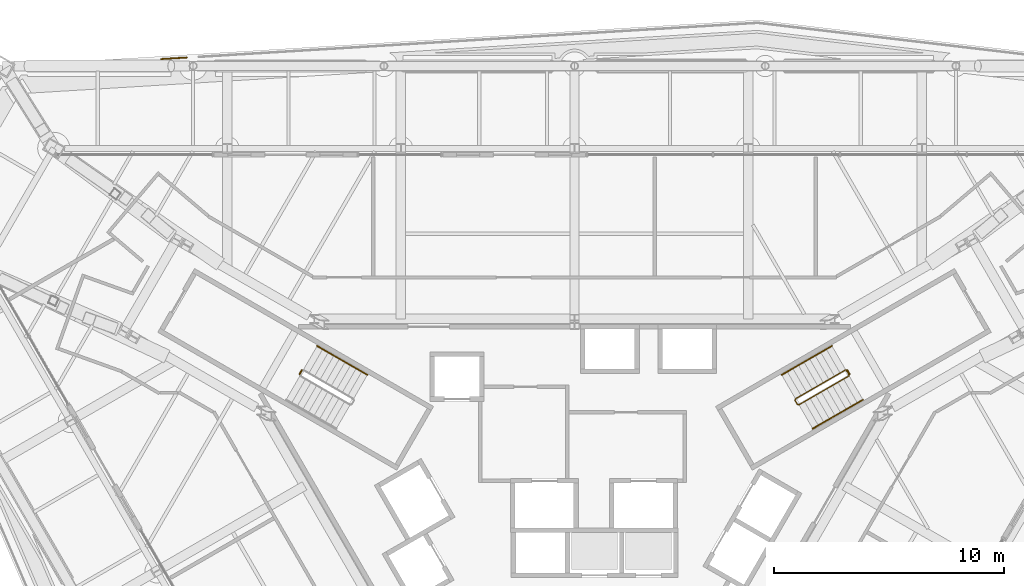
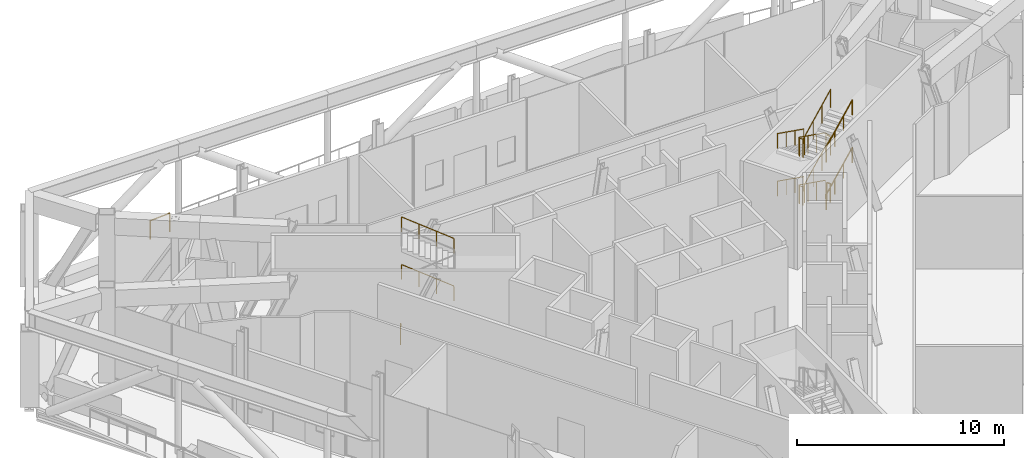
# One storey, part 23 of 25: 10 railings.
"""IFC4 building model written with IfcOpenShell, lengths in metres."""

from ifc_helpers import new_model, si_unit, direction, frame, origin, origin_2d, place, context, subcontext, project, spatial, circle, extrude, material, type_object, element, save


model = new_model("IFC4")

# Units and contexts
model_context = context("Model", 3, precision=1e-05, world=origin(), true_north=direction((0.0, 1.0)))
body_context = subcontext(model_context, "Body", "Model", "MODEL_VIEW")
ifc_project = project(units=[si_unit("LENGTHUNIT", "METRE"), si_unit("AREAUNIT", "SQUARE_METRE"), si_unit("VOLUMEUNIT", "CUBIC_METRE"), si_unit("PLANEANGLEUNIT", "RADIAN"), si_unit("MASSUNIT", "GRAM", prefix="KILO")], contexts=[model_context])

# Site, building, storey
site_placement = place(None, origin())
site = spatial("IfcSite", under=ifc_project, at=site_placement, CompositionType="ELEMENT")
building_placement = place(site_placement, origin())
building = spatial("IfcBuilding", under=site, at=building_placement, Name="Verrane Prism Tower", CompositionType="ELEMENT")
storey_placement = place(building_placement, frame((0.0, 0.0, 143.199951171875)))
storey = spatial("IfcBuildingStorey", under=building, at=storey_placement, Name="L35", CompositionType="ELEMENT", Elevation=143.199951171875)

# Railings
ifc_material_1 = material(Name="Steel A36 rail and posts, no infill", Category="steel")
railing_type_1 = type_object("IfcRailingType", Name="Stair guard 1100 steel rail and posts", PredefinedType="GUARDRAIL", material=ifc_material_1)
railing_1_placement = place(storey_placement, frame((11.78955078125, 6.97998046875, 0.14013671875)))
element("IfcRailing", 1, at=railing_1_placement, inside=storey, type_object=railing_type_1, Name="Stair 1 guard", PredefinedType="GUARDRAIL", context=body_context, shape_type="SweptSolid", body=[
    extrude(circle(Radius=0.02392578125, at=origin_2d()), frame((0.0, 0.0, 1.076171875), z_axis=(-0.77459271029, -0.44721702403, 0.44721702403), x_axis=(0.500004791531, -0.866022637375, 0.0)), (0.0, 0.0, 1.0), 2.8173828125),
    extrude(circle(Radius=0.02392578125, at=origin_2d()), frame((-2.182373046875, -1.260009765625, 2.3359375), z_axis=(-0.258736085224, -0.965948051503, 0.0), x_axis=(0.965948051503, -0.258736085224, 0.0)), (0.0, 0.0, 1.0), 0.07080078125),
    extrude(circle(Radius=0.02392578125, at=origin_2d()), frame((-2.20068359375, -1.328369140625, 2.3359375), z_axis=(0.500603037456, -0.865676959893, 0.0), x_axis=(0.865676959893, 0.500603037456, 0.0)), (0.0, 0.0, 1.0), 0.199951171875),
    extrude(circle(Radius=0.02392578125, at=origin_2d()), frame((-2.1005859375, -1.50146484375, 2.3359375), z_axis=(0.434774103959, -0.116874759129, 0.892923159743), x_axis=(0.259601060869, 0.965715946433, 0.0)), (0.0, 0.0, 1.0), 0.15673828125),
    extrude(circle(Radius=0.02392578125, at=origin_2d()), frame((-2.032470703125, -1.519775390625, 2.47607421875), z_axis=(0.77459271029, 0.44721702403, 0.44721702403), x_axis=(-0.500004791531, 0.866022637375, 0.0)), (0.0, 0.0, 1.0), 2.8173828125),
    extrude(circle(Radius=0.02392578125, at=origin_2d()), frame((0.14990234375, -0.259765625, 3.73583984375), z_axis=(-0.3199613899, 0.947430582667, 0.0), x_axis=(-0.947430582667, -0.3199613899, 0.0)), (0.0, 0.0, 1.0), 0.2548828125),
    extrude(circle(Radius=0.02392578125, at=origin_2d()), frame((0.068359375, -0.018310546875, 3.73583984375), z_axis=(0.499158860599, -0.866510491504, 0.0), x_axis=(0.866510491504, 0.499158860599, 0.0)), (0.0, 0.0, 1.0), 0.199951171875),
    extrude(circle(Radius=0.02392578125, at=origin_2d()), frame((0.168212890625, -0.191650390625, 3.73583984375), z_axis=(-0.578343615252, 0.65892559938, 0.480973717764), x_axis=(-0.751567565678, -0.659656118156, 0.0)), (0.0, 0.0, 1.0), 0.290771484375),
    extrude(circle(Radius=0.02392578125, at=origin_2d()), frame((0.0, 0.0, 3.8759765625), z_axis=(-0.77459271029, -0.44721702403, 0.44721702403), x_axis=(0.500004791531, -0.866022637375, 0.0)), (0.0, 0.0, 1.0), 2.8173828125),
    extrude(circle(Radius=0.02392578125, at=origin_2d()), frame((-2.182373046875, -1.260009765625, 5.1357421875), z_axis=(-0.258736085224, -0.965948051503, 0.0), x_axis=(0.965948051503, -0.258736085224, 0.0)), (0.0, 0.0, 1.0), 0.07080078125),
    extrude(circle(Radius=0.02392578125, at=origin_2d()), frame((-2.20068359375, -1.328369140625, 5.1357421875), z_axis=(0.500603037456, -0.865676959893, 0.0), x_axis=(0.865676959893, 0.500603037456, 0.0)), (0.0, 0.0, 1.0), 0.199951171875),
    extrude(circle(Radius=0.02392578125, at=origin_2d()), frame((-2.1005859375, -1.50146484375, 5.1357421875), z_axis=(0.434169863327, -0.116712328851, 0.893238356808), x_axis=(0.259601060869, 0.965715946433, 0.0)), (0.0, 0.0, 1.0), 0.156982421875),
    extrude(circle(Radius=0.02392578125, at=origin_2d()), frame((-2.032470703125, -1.519775390625, 5.27587890625), z_axis=(0.77459271029, 0.44721702403, 0.44721702403), x_axis=(-0.500004791531, 0.866022637375, 0.0)), (0.0, 0.0, 1.0), 2.8173828125),
    extrude(circle(Radius=0.02099609375, at=origin_2d()), origin(), (0.0, 0.0, 1.0), 1.052001953125),
    extrude(circle(Radius=0.02099609375, at=origin_2d()), frame((-0.7275390625, -0.419921875, 0.419921875)), (0.0, 0.0, 1.0), 1.052001953125),
    extrude(circle(Radius=0.02099609375, at=origin_2d()), frame((-1.454833984375, -0.840087890625, 0.840087890625)), (0.0, 0.0, 1.0), 1.052001953125),
    extrude(circle(Radius=0.02099609375, at=origin_2d()), frame((-2.182373046875, -1.260009765625, 1.260009765625)), (0.0, 0.0, 1.0), 1.052001953125),
    extrude(circle(Radius=0.02099609375, at=origin_2d()), frame((-2.20068359375, -1.328369140625, 1.260009765625)), (0.0, 0.0, 1.0), 1.052001953125),
    extrude(circle(Radius=0.02099609375, at=origin_2d()), frame((-2.1005859375, -1.50146484375, 1.260009765625)), (0.0, 0.0, 1.0), 1.052001953125),
    extrude(circle(Radius=0.02099609375, at=origin_2d()), frame((-2.032470703125, -1.519775390625, 1.39990234375)), (0.0, 0.0, 1.0), 1.052001953125),
    extrude(circle(Radius=0.02099609375, at=origin_2d()), frame((-1.304931640625, -1.099853515625, 1.81982421875)), (0.0, 0.0, 1.0), 1.052001953125),
    extrude(circle(Radius=0.02099609375, at=origin_2d()), frame((-0.57763671875, -0.6796875, 2.239990234375)), (0.0, 0.0, 1.0), 1.052001953125),
    extrude(circle(Radius=0.02099609375, at=origin_2d()), frame((0.14990234375, -0.259765625, 2.659912109375)), (0.0, 0.0, 1.0), 1.052001953125),
    extrude(circle(Radius=0.02099609375, at=origin_2d()), frame((0.068359375, -0.018310546875, 2.659912109375)), (0.0, 0.0, 1.0), 1.052001953125),
    extrude(circle(Radius=0.02099609375, at=origin_2d()), frame((0.168212890625, -0.191650390625, 2.659912109375)), (0.0, 0.0, 1.0), 1.052001953125),
    extrude(circle(Radius=0.02099609375, at=origin_2d()), frame((0.0, 0.0, 2.7998046875)), (0.0, 0.0, 1.0), 1.052001953125),
    extrude(circle(Radius=0.02099609375, at=origin_2d()), frame((-0.7275390625, -0.419921875, 3.2197265625)), (0.0, 0.0, 1.0), 1.052001953125),
    extrude(circle(Radius=0.02099609375, at=origin_2d()), frame((-1.454833984375, -0.840087890625, 3.639892578125)), (0.0, 0.0, 1.0), 1.052001953125),
    extrude(circle(Radius=0.02099609375, at=origin_2d()), frame((-2.182373046875, -1.260009765625, 4.059814453125)), (0.0, 0.0, 1.0), 1.052001953125),
    extrude(circle(Radius=0.02099609375, at=origin_2d()), frame((-2.20068359375, -1.328369140625, 4.059814453125)), (0.0, 0.0, 1.0), 1.052001953125),
    extrude(circle(Radius=0.02099609375, at=origin_2d()), frame((-2.1005859375, -1.50146484375, 4.059814453125)), (0.0, 0.0, 1.0), 1.052001953125),
    extrude(circle(Radius=0.02099609375, at=origin_2d()), frame((-2.032470703125, -1.519775390625, 4.199951171875)), (0.0, 0.0, 1.0), 1.052001953125),
    extrude(circle(Radius=0.02099609375, at=origin_2d()), frame((-1.304931640625, -1.099853515625, 4.619873046875)), (0.0, 0.0, 1.0), 1.052001953125),
    extrude(circle(Radius=0.02099609375, at=origin_2d()), frame((-0.57763671875, -0.6796875, 5.0400390625)), (0.0, 0.0, 1.0), 1.052001953125),
    extrude(circle(Radius=0.02099609375, at=origin_2d()), frame((0.14990234375, -0.259765625, 5.4599609375)), (0.0, 0.0, 1.0), 1.052001953125),
])
railing_2_placement = place(storey_placement, frame((11.85791015625, 6.961669921875, 0.0)))
element("IfcRailing", 2, at=railing_2_placement, inside=storey, type_object=railing_type_1, Name="Stair 1 guard", PredefinedType="GUARDRAIL", context=body_context, shape_type="SweptSolid", body=[
    extrude(circle(Radius=0.02392578125, at=origin_2d()), frame((0.0, 0.0, 1.076171875), z_axis=(0.499158860599, -0.866510491504, 0.0), x_axis=(0.866510491504, 0.499158860599, 0.0)), (0.0, 0.0, 1.0), 0.199951171875),
    extrude(circle(Radius=0.02099609375, at=origin_2d()), origin(), (0.0, 0.0, 1.0), 1.052001953125),
    extrude(circle(Radius=0.02099609375, at=origin_2d()), frame((0.099853515625, -0.17333984375, 0.0)), (0.0, 0.0, 1.0), 1.052001953125),
])
railing_3_placement = place(storey_placement, frame((-11.957763671875, 6.788330078125, 0.0)))
element("IfcRailing", 3, at=railing_3_placement, inside=storey, type_object=railing_type_1, Name="Stair 2 guard", PredefinedType="GUARDRAIL", context=body_context, shape_type="SweptSolid", body=[
    extrude(circle(Radius=0.02392578125, at=origin_2d()), frame((0.0, 0.0, 1.076171875), z_axis=(0.499158860599, 0.866510491504, 0.0), x_axis=(-0.866510491504, 0.499158860599, 0.0)), (0.0, 0.0, 1.0), 0.199951171875),
    extrude(circle(Radius=0.02099609375, at=origin_2d()), origin(), (0.0, 0.0, 1.0), 1.052001953125),
    extrude(circle(Radius=0.02099609375, at=origin_2d()), frame((0.099853515625, 0.17333984375, 0.0)), (0.0, 0.0, 1.0), 1.052001953125),
])
ifc_material_2 = material(Name="Steel A36 tube", Category="steel")
railing_type_2 = type_object("IfcRailingType", Name="Stair handrail 900 steel tube", PredefinedType="HANDRAIL", material=ifc_material_2)
railing_4_placement = place(storey_placement, frame((11.189453125, 8.01904296875, 0.14013671875)))
element("IfcRailing", 4, at=railing_4_placement, inside=storey, type_object=railing_type_2, Name="Stair 1 handrail", PredefinedType="HANDRAIL", context=body_context, shape_type="SweptSolid", body=[
    extrude(circle(Radius=0.02392578125, at=origin_2d()), frame((0.0, 0.0, 0.8759765625), z_axis=(-0.77459271029, -0.44721702403, 0.44721702403), x_axis=(0.500004791531, -0.866022637375, 0.0)), (0.0, 0.0, 1.0), 2.8173828125),
    extrude(circle(Radius=0.02099609375, at=origin_2d()), origin(), (0.0, 0.0, 1.0), 0.851806640625),
    extrude(circle(Radius=0.02099609375, at=origin_2d()), frame((-0.7275390625, -0.419921875, 0.419921875)), (0.0, 0.0, 1.0), 0.851806640625),
    extrude(circle(Radius=0.02099609375, at=origin_2d()), frame((-1.454833984375, -0.840087890625, 0.840087890625)), (0.0, 0.0, 1.0), 0.851806640625),
    extrude(circle(Radius=0.02099609375, at=origin_2d()), frame((-2.182373046875, -1.260009765625, 1.260009765625)), (0.0, 0.0, 1.0), 0.851806640625),
])
railing_5_placement = place(storey_placement, frame((10.357177734375, 4.4208984375, 1.5400390625)))
element("IfcRailing", 5, at=railing_5_placement, inside=storey, type_object=railing_type_2, Name="Stair 1 handrail", PredefinedType="HANDRAIL", context=body_context, shape_type="SweptSolid", body=[
    extrude(circle(Radius=0.02392578125, at=origin_2d()), frame((0.0, 0.0, 0.8759765625), z_axis=(0.77459271029, 0.44721702403, 0.44721702403), x_axis=(-0.500004791531, 0.866022637375, 0.0)), (0.0, 0.0, 1.0), 2.8173828125),
    extrude(circle(Radius=0.02099609375, at=origin_2d()), origin(), (0.0, 0.0, 1.0), 0.851806640625),
    extrude(circle(Radius=0.02099609375, at=origin_2d()), frame((0.7275390625, 0.419921875, 0.419921875)), (0.0, 0.0, 1.0), 0.851806640625),
    extrude(circle(Radius=0.02099609375, at=origin_2d()), frame((1.454833984375, 0.840087890625, 0.840087890625)), (0.0, 0.0, 1.0), 0.851806640625),
    extrude(circle(Radius=0.02099609375, at=origin_2d()), frame((2.182373046875, 1.260009765625, 1.260009765625)), (0.0, 0.0, 1.0), 0.851806640625),
])
railing_6_placement = place(storey_placement, frame((11.189453125, 8.01904296875, 2.93994140625)))
element("IfcRailing", 6, at=railing_6_placement, inside=storey, type_object=railing_type_2, Name="Stair 1 handrail", PredefinedType="HANDRAIL", context=body_context, shape_type="SweptSolid", body=[
    extrude(circle(Radius=0.02392578125, at=origin_2d()), frame((0.0, 0.0, 0.8759765625), z_axis=(-0.77459271029, -0.44721702403, 0.44721702403), x_axis=(0.500004791531, -0.866022637375, 0.0)), (0.0, 0.0, 1.0), 2.8173828125),
    extrude(circle(Radius=0.02099609375, at=origin_2d()), origin(), (0.0, 0.0, 1.0), 0.851806640625),
    extrude(circle(Radius=0.02099609375, at=origin_2d()), frame((-0.7275390625, -0.419921875, 0.419921875)), (0.0, 0.0, 1.0), 0.851806640625),
    extrude(circle(Radius=0.02099609375, at=origin_2d()), frame((-1.454833984375, -0.840087890625, 0.840087890625)), (0.0, 0.0, 1.0), 0.851806640625),
    extrude(circle(Radius=0.02099609375, at=origin_2d()), frame((-2.182373046875, -1.260009765625, 1.260009765625)), (0.0, 0.0, 1.0), 0.851806640625),
])
railing_7_placement = place(storey_placement, frame((10.357177734375, 4.4208984375, 4.340087890625)))
element("IfcRailing", 7, at=railing_7_placement, inside=storey, type_object=railing_type_2, Name="Stair 1 handrail", PredefinedType="HANDRAIL", context=body_context, shape_type="SweptSolid", body=[
    extrude(circle(Radius=0.02392578125, at=origin_2d()), frame((0.0, 0.0, 0.8759765625), z_axis=(0.77459271029, 0.44721702403, 0.44721702403), x_axis=(-0.500004791531, 0.866022637375, 0.0)), (0.0, 0.0, 1.0), 2.8173828125),
    extrude(circle(Radius=0.02099609375, at=origin_2d()), origin(), (0.0, 0.0, 1.0), 0.851806640625),
    extrude(circle(Radius=0.02099609375, at=origin_2d()), frame((0.7275390625, 0.419921875, 0.419921875)), (0.0, 0.0, 1.0), 0.851806640625),
    extrude(circle(Radius=0.02099609375, at=origin_2d()), frame((1.454833984375, 0.840087890625, 0.840087890625)), (0.0, 0.0, 1.0), 0.851806640625),
    extrude(circle(Radius=0.02099609375, at=origin_2d()), frame((2.182373046875, 1.260009765625, 1.260009765625)), (0.0, 0.0, 1.0), 0.851806640625),
])
for number, where, name in (
    (8, (-9.007080078125, 6.759033203125, 1.5400390625), "Stair 2 handrail"),
    (9, (-9.007080078125, 6.759033203125, 4.340087890625), "Stair 2 handrail"),
):
    element("IfcRailing", number, at=place(storey_placement, frame(where)), inside=storey, type_object=railing_type_2, Name=name, PredefinedType="HANDRAIL", context=body_context, shape_type="SweptSolid", body=[
        extrude(circle(Radius=0.02392578125, at=origin_2d()), frame((0.0, 0.0, 0.8759765625), z_axis=(-0.77459271029, 0.44721702403, 0.44721702403), x_axis=(-0.500004791531, -0.866022637375, 0.0)), (0.0, 0.0, 1.0), 2.8173828125),
        extrude(circle(Radius=0.02099609375, at=origin_2d()), origin(), (0.0, 0.0, 1.0), 0.851806640625),
        extrude(circle(Radius=0.02099609375, at=origin_2d()), frame((-0.7275390625, 0.419921875, 0.419921875)), (0.0, 0.0, 1.0), 0.851806640625),
        extrude(circle(Radius=0.02099609375, at=origin_2d()), frame((-1.454833984375, 0.840087890625, 0.840087890625)), (0.0, 0.0, 1.0), 0.851806640625),
        extrude(circle(Radius=0.02099609375, at=origin_2d()), frame((-2.182373046875, 1.260009765625, 1.260009765625)), (0.0, 0.0, 1.0), 0.851806640625),
    ])
ifc_material_3 = material(Name="Stainless steel and laminated glass", Category="steel")
railing_type_3 = type_object("IfcRailingType", Name="Terrace guard 1100", PredefinedType="GUARDRAIL", material=ifc_material_3)
railing_8_placement = place(storey_placement, frame((-16.859375, 20.55810546875, 0.0)))
element("IfcRailing", 10, at=railing_8_placement, inside=storey, type_object=railing_type_3, Name="Terrace guard L35 2", PredefinedType="GUARDRAIL", context=body_context, shape_type="SweptSolid", body=[
    extrude(circle(Radius=0.02392578125, at=origin_2d()), frame((0.0, 0.0, 1.076171875), z_axis=(-0.998147286164, -0.060844022906, 0.0), x_axis=(0.060844022906, -0.998147286164, 0.0)), (0.0, 0.0, 1.0), 1.119384765625),
    extrude(circle(Radius=0.02099609375, at=origin_2d()), origin(), (0.0, 0.0, 1.0), 1.052001953125),
    extrude(circle(Radius=0.02099609375, at=origin_2d()), frame((-1.117431640625, -0.068115234375, 0.0)), (0.0, 0.0, 1.0), 1.052001953125),
])

save(model, "model.ifc")
